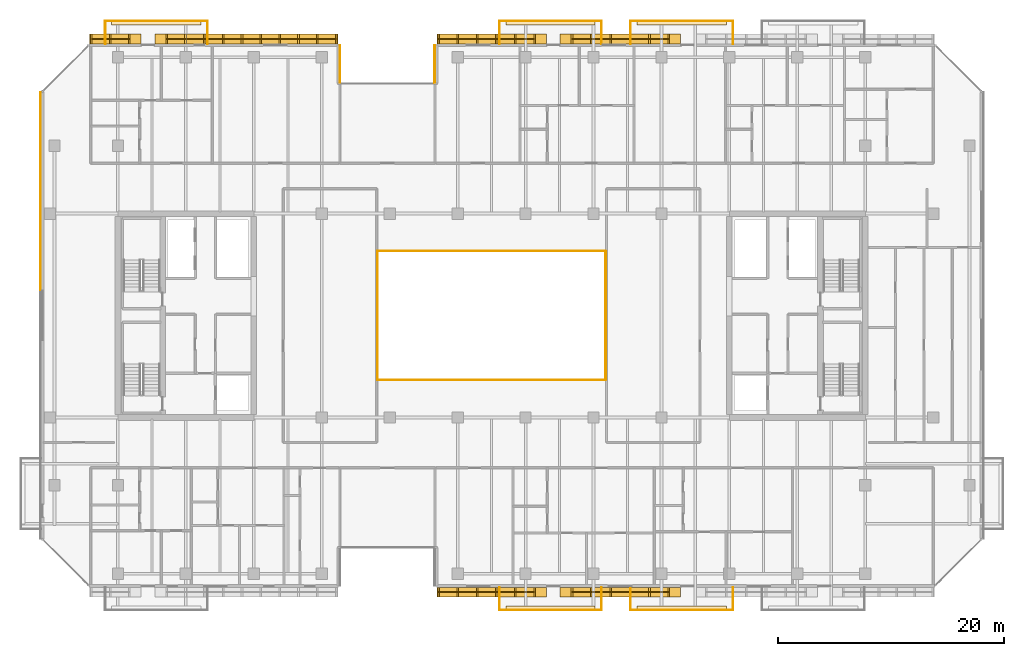
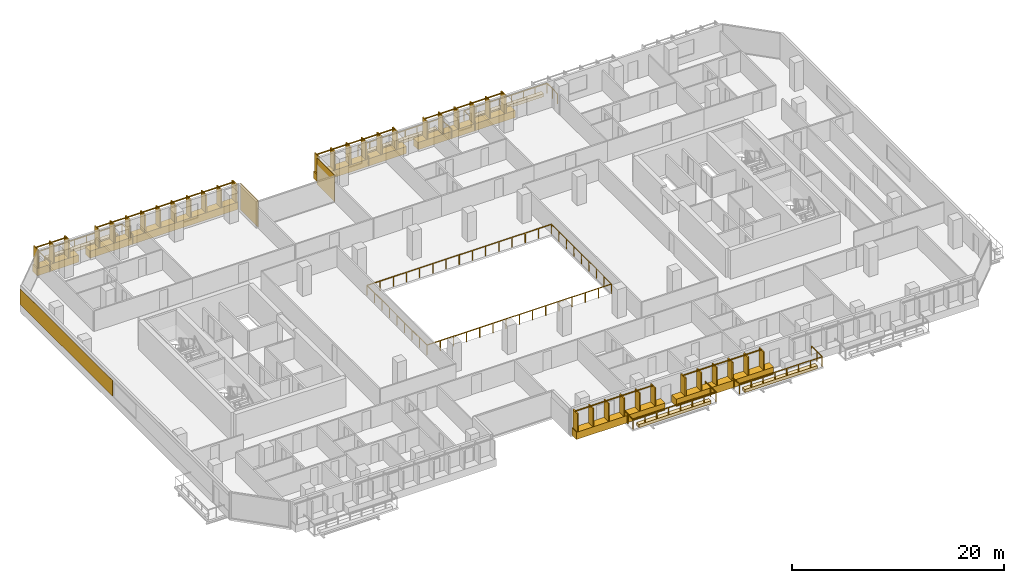
# One storey, part 31 of 33: 14 coverings, 13 railings.
"""IFC4 building model written with IfcOpenShell, lengths in metres."""

from ifc_helpers import new_model, si_unit, direction, frame, origin, origin_2d, place, context, subcontext, project, spatial, polyline, rectangle, outline, extrude, material, layer, layer_set, type_object, element, save


model = new_model("IFC4")

# Units and contexts
model_context = context("Model", 3, precision=1e-05, world=origin(), true_north=direction((0.0, 1.0)))
body_context = subcontext(model_context, "Body", "Model", "MODEL_VIEW")
ifc_project = project(units=[si_unit("LENGTHUNIT", "METRE"), si_unit("AREAUNIT", "SQUARE_METRE"), si_unit("VOLUMEUNIT", "CUBIC_METRE"), si_unit("PLANEANGLEUNIT", "RADIAN"), si_unit("MASSUNIT", "GRAM", prefix="KILO")], contexts=[model_context])

# Site, building, storey
site_placement = place(None, origin())
site = spatial("IfcSite", under=ifc_project, at=site_placement, CompositionType="ELEMENT")
building_placement = place(site_placement, origin())
building = spatial("IfcBuilding", under=site, at=building_placement, Name="Tanjung Sevakor Pilgrim Tower", CompositionType="ELEMENT")
storey_placement = place(building_placement, frame((0.0, 0.0, 95.3701171875)))
storey = spatial("IfcBuildingStorey", under=building, at=storey_placement, Name="L26", CompositionType="ELEMENT", Elevation=95.3701171875)

# Coverings
ifc_material_1 = material(Name="Reconstructed Limestone Cladding", Category="masonry")
ifc_layer_1 = layer(ifc_material_1, 0.044921875)
ifc_layer_set_1 = layer_set([ifc_layer_1], Name="COV-CLAD-LIMESTONE")
covering_type_1 = type_object("IfcCoveringType", Name="COV-CLAD-LIMESTONE", PredefinedType="CLADDING", material=ifc_layer_set_1)
covering_1_placement = place(storey_placement, frame((57.00244140625, 9.169921875, 0.009765625), z_axis=(0.0, 0.0, 1.0), x_axis=(1.0, 0.0, 0.0)))
element("IfcCovering", 1, at=covering_1_placement, inside=storey, type_object=covering_type_1, Name="L26 Warm Limestone Sill Spandrel EW-L26-MAIN-5-1", PredefinedType="CLADDING", context=body_context, shape_type="SweptSolid", body=[
    extrude(rectangle(XDim=9.675048828125, YDim=0.860107421875, at=origin_2d()), origin(), (0.0, 0.0, 1.0), 0.840087890625),
])
for number, where, z_axis, x_axis, name in (
    (2, (68.375, 9.169921875, 0.009765625), (0.0, 0.0, 1.0), (1.0, 0.0, 0.0), "L26 Warm Limestone Sill Spandrel EW-L26-MAIN-5-2"),
    (3, (68.375, 58.030029296875, 0.009765625), (0.0, 0.0, 1.0), (-1.0, 0.0, 0.0), "L26 Warm Limestone Sill Spandrel EW-L26-MAIN-9-3"),
):
    element("IfcCovering", number, at=place(storey_placement, frame(where, z_axis=z_axis, x_axis=x_axis)), inside=storey, type_object=covering_type_1, Name=name, PredefinedType="CLADDING", context=body_context, shape_type="SweptSolid", body=[
        extrude(rectangle(XDim=10.6298828125, YDim=0.860107421875, at=origin_2d()), origin(), (0.0, 0.0, 1.0), 0.840087890625),
    ])
covering_2_placement = place(storey_placement, frame((57.00244140625, 58.030029296875, 0.009765625), z_axis=(0.0, 0.0, 1.0), x_axis=(-1.0, 0.0, 0.0)))
element("IfcCovering", 4, at=covering_2_placement, inside=storey, type_object=covering_type_1, Name="L26 Warm Limestone Sill Spandrel EW-L26-MAIN-9-4", PredefinedType="CLADDING", context=body_context, shape_type="SweptSolid", body=[
    extrude(rectangle(XDim=9.675048828125, YDim=0.860107421875, at=origin_2d()), origin(), (0.0, 0.0, 1.0), 0.840087890625),
])
for number, where, z_axis, x_axis, name in (
    (5, (51.9775390625, 55.77490234375, 0.019775390625), (0.0, 0.0, 1.0), (0.0, -1.0, 0.0), "L26 Warm Limestone Wall Cladding EW-L26-MAIN-10"),
    (6, (43.62255859375, 55.77490234375, 0.019775390625), (0.0, 0.0, 1.0), (0.0, 1.0, 0.0), "L26 Warm Limestone Wall Cladding EW-L26-MAIN-12"),
):
    element("IfcCovering", number, at=place(storey_placement, frame(where, z_axis=z_axis, x_axis=x_axis)), inside=storey, type_object=covering_type_1, Name=name, PredefinedType="CLADDING", context=body_context, shape_type="SweptSolid", body=[
        extrude(rectangle(XDim=3.360107421875, YDim=0.044921875, at=origin_2d()), origin(), (0.0, 0.0, 1.0), 3.0400390625),
    ])
covering_3_placement = place(storey_placement, frame((35.347412109375, 58.030029296875, 0.009765625), z_axis=(0.0, 0.0, 1.0), x_axis=(-1.0, 0.0, 0.0)))
element("IfcCovering", 7, at=covering_3_placement, inside=storey, type_object=covering_type_1, Name="L26 Warm Limestone Sill Spandrel EW-L26-MAIN-13-1", PredefinedType="CLADDING", context=body_context, shape_type="SweptSolid", body=[
    extrude(rectangle(XDim=16.175048828125, YDim=0.860107421875, at=origin_2d()), origin(), (0.0, 0.0, 1.0), 0.840087890625),
])
covering_4_placement = place(storey_placement, frame((23.765869140625, 58.030029296875, 0.009765625), z_axis=(0.0, 0.0, 1.0), x_axis=(-1.0, 0.0, 0.0)))
element("IfcCovering", 8, at=covering_4_placement, inside=storey, type_object=covering_type_1, Name="L26 Warm Limestone Sill Spandrel EW-L26-MAIN-13-2", PredefinedType="CLADDING", context=body_context, shape_type="SweptSolid", body=[
    extrude(rectangle(XDim=4.548095703125, YDim=0.860107421875, at=origin_2d()), origin(), (0.0, 0.0, 1.0), 0.840087890625),
])
covering_5_placement = place(storey_placement, frame((17.177490234375, 44.5791015625, 0.849853515625), z_axis=(0.0, 0.0, 1.0), x_axis=(0.0, -1.0, 0.0)))
element("IfcCovering", 9, at=covering_5_placement, inside=storey, type_object=covering_type_1, Name="L26 Warm Limestone Pier Panel EW-L26-MAIN-15-1", PredefinedType="CLADDING", context=body_context, shape_type="SweptSolid", body=[
    extrude(rectangle(XDim=17.458251953125, YDim=0.044921875, at=origin_2d()), origin(), (0.0, 0.0, 1.0), 1.81005859375),
])
ifc_material_2 = material(Name="Vegetated Modular Planter Assembly", Category="organic")
ifc_layer_2 = layer(ifc_material_2, 0.35009765625)
ifc_layer_set_2 = layer_set([ifc_layer_2], Name="COV-GRN-TROUGH")
covering_type_2 = type_object("IfcCoveringType", Name="COV-GRN-TROUGH", PredefinedType="CLADDING", material=ifc_layer_set_2)
covering_6_placement = place(storey_placement, origin())
element("IfcCovering", 10, at=covering_6_placement, inside=storey, type_object=covering_type_2, Name="L26 Planted Landscape Hedge Trough BGRN-L26-MAIN-N1", PredefinedType="CLADDING", context=body_context, shape_type="SweptSolid", body=[
    extrude(outline(polyline([(23.449951171875, 59.260009765625), (31.35009765625, 59.260009765625), (31.35009765625, 59.699951171875), (23.449951171875, 59.699951171875), (23.449951171875, 59.260009765625)])), origin(), (0.0, 0.0, 1.0), 0.349853515625),
])
covering_7_placement = place(storey_placement, origin())
element("IfcCovering", 11, at=covering_7_placement, inside=storey, type_object=covering_type_2, Name="L26 Planted Landscape Hedge Trough BGRN-L26-MAIN-S2", PredefinedType="CLADDING", context=body_context, shape_type="SweptSolid", body=[
    extrude(outline(polyline([(58.25, 7.5), (66.14990234375, 7.5), (66.14990234375, 7.93994140625), (58.25, 7.93994140625), (58.25, 7.5)])), origin(), (0.0, 0.0, 1.0), 0.349853515625),
])
covering_8_placement = place(storey_placement, origin())
element("IfcCovering", 12, at=covering_8_placement, inside=storey, type_object=covering_type_2, Name="L26 Planted Landscape Hedge Trough BGRN-L26-MAIN-N2", PredefinedType="CLADDING", context=body_context, shape_type="SweptSolid", body=[
    extrude(outline(polyline([(58.25, 59.260009765625), (66.14990234375, 59.260009765625), (66.14990234375, 59.699951171875), (58.25, 59.699951171875), (58.25, 59.260009765625)])), origin(), (0.0, 0.0, 1.0), 0.349853515625),
])
covering_9_placement = place(storey_placement, origin())
element("IfcCovering", 13, at=covering_9_placement, inside=storey, type_object=covering_type_2, Name="L26 Planted Landscape Hedge Trough BGRN-L26-MAIN-S3", PredefinedType="CLADDING", context=body_context, shape_type="SweptSolid", body=[
    extrude(outline(polyline([(69.85009765625, 7.5), (77.75, 7.5), (77.75, 7.93994140625), (69.85009765625, 7.93994140625), (69.85009765625, 7.5)])), origin(), (0.0, 0.0, 1.0), 0.349853515625),
])
covering_10_placement = place(storey_placement, origin())
element("IfcCovering", 14, at=covering_10_placement, inside=storey, type_object=covering_type_2, Name="L26 Planted Landscape Hedge Trough BGRN-L26-MAIN-N3", PredefinedType="CLADDING", context=body_context, shape_type="SweptSolid", body=[
    extrude(outline(polyline([(69.85009765625, 59.260009765625), (77.75, 59.260009765625), (77.75, 59.699951171875), (69.85009765625, 59.699951171875), (69.85009765625, 59.260009765625)])), origin(), (0.0, 0.0, 1.0), 0.349853515625),
])

# Railings
ifc_material_3 = material(Name="Laminated Glass and Aluminium", Category="aluminium")
railing_type_1 = type_object("IfcRailingType", Name="RL-BAL-BALUST", PredefinedType="BALUSTRADE", material=ifc_material_3)
railing_1_placement = place(storey_placement, frame((46.919921875, 27.919921875, 0.0)))
element("IfcRailing", 15, at=railing_1_placement, inside=storey, type_object=railing_type_1, Name="L26 Void Opening Balustrade 1A", PredefinedType="BALUSTRADE", context=body_context, shape_type="SweptSolid", body=[
    extrude(rectangle(XDim=0.0479, YDim=0.0479), frame((0.0, 0.0, 1.1259765625), z_axis=(1.0, 0.0, 0.0), x_axis=(0.0, 1.0, 0.0)), (0.0, 0.0, 1.0), 20.16015625),
    extrude(rectangle(XDim=0.0479, YDim=0.0479), frame((20.16015625, 0.0, 1.1259765625), z_axis=(0.0, 1.0, 0.0), x_axis=(-1.0, 0.0, 0.0)), (0.0, 0.0, 1.0), 11.360107421875),
    extrude(rectangle(XDim=0.042, YDim=0.042), origin(), (0.0, 0.0, 1.0), 1.101806640625),
    extrude(rectangle(XDim=0.042, YDim=0.042), frame((1.43994140625, 0.0, 0.0)), (0.0, 0.0, 1.0), 1.101806640625),
    extrude(rectangle(XDim=0.042, YDim=0.042), frame((2.880126953125, 0.0, 0.0)), (0.0, 0.0, 1.0), 1.101806640625),
    extrude(rectangle(XDim=0.042, YDim=0.042), frame((4.320068359375, 0.0, 0.0)), (0.0, 0.0, 1.0), 1.101806640625),
    extrude(rectangle(XDim=0.042, YDim=0.042), frame((5.760009765625, 0.0, 0.0)), (0.0, 0.0, 1.0), 1.101806640625),
    extrude(rectangle(XDim=0.042, YDim=0.042), frame((7.199951171875, 0.0, 0.0)), (0.0, 0.0, 1.0), 1.101806640625),
    extrude(rectangle(XDim=0.042, YDim=0.042), frame((8.64013671875, 0.0, 0.0)), (0.0, 0.0, 1.0), 1.101806640625),
    extrude(rectangle(XDim=0.042, YDim=0.042), frame((10.080078125, 0.0, 0.0)), (0.0, 0.0, 1.0), 1.101806640625),
    extrude(rectangle(XDim=0.042, YDim=0.042), frame((11.52001953125, 0.0, 0.0)), (0.0, 0.0, 1.0), 1.101806640625),
    extrude(rectangle(XDim=0.042, YDim=0.042), frame((12.960205078125, 0.0, 0.0)), (0.0, 0.0, 1.0), 1.101806640625),
    extrude(rectangle(XDim=0.042, YDim=0.042), frame((14.400146484375, 0.0, 0.0)), (0.0, 0.0, 1.0), 1.101806640625),
    extrude(rectangle(XDim=0.042, YDim=0.042), frame((15.840087890625, 0.0, 0.0)), (0.0, 0.0, 1.0), 1.101806640625),
    extrude(rectangle(XDim=0.042, YDim=0.042), frame((17.280029296875, 0.0, 0.0)), (0.0, 0.0, 1.0), 1.101806640625),
    extrude(rectangle(XDim=0.042, YDim=0.042), frame((18.72021484375, 0.0, 0.0)), (0.0, 0.0, 1.0), 1.101806640625),
    extrude(rectangle(XDim=0.042, YDim=0.042), frame((20.16015625, 0.0, 0.0)), (0.0, 0.0, 1.0), 1.101806640625),
    extrude(rectangle(XDim=0.042, YDim=0.042), frame((20.16015625, 1.419921875, 0.0)), (0.0, 0.0, 1.0), 1.101806640625),
    extrude(rectangle(XDim=0.042, YDim=0.042), frame((20.16015625, 2.840087890625, 0.0)), (0.0, 0.0, 1.0), 1.101806640625),
    extrude(rectangle(XDim=0.042, YDim=0.042), frame((20.16015625, 4.260009765625, 0.0)), (0.0, 0.0, 1.0), 1.101806640625),
    extrude(rectangle(XDim=0.042, YDim=0.042), frame((20.16015625, 5.68017578125, 0.0)), (0.0, 0.0, 1.0), 1.101806640625),
    extrude(rectangle(XDim=0.042, YDim=0.042), frame((20.16015625, 7.10009765625, 0.0)), (0.0, 0.0, 1.0), 1.101806640625),
    extrude(rectangle(XDim=0.042, YDim=0.042), frame((20.16015625, 8.52001953125, 0.0)), (0.0, 0.0, 1.0), 1.101806640625),
    extrude(rectangle(XDim=0.042, YDim=0.042), frame((20.16015625, 9.940185546875, 0.0)), (0.0, 0.0, 1.0), 1.101806640625),
    extrude(rectangle(XDim=0.042, YDim=0.042), frame((20.16015625, 11.360107421875, 0.0)), (0.0, 0.0, 1.0), 1.101806640625),
])
railing_2_placement = place(storey_placement, frame((67.080078125, 39.280029296875, 0.0)))
element("IfcRailing", 16, at=railing_2_placement, inside=storey, type_object=railing_type_1, Name="L26 Void Opening Balustrade 1B", PredefinedType="BALUSTRADE", context=body_context, shape_type="SweptSolid", body=[
    extrude(rectangle(XDim=0.0479, YDim=0.0479), frame((0.0, 0.0, 1.1259765625), z_axis=(-1.0, 0.0, 0.0), x_axis=(0.0, -1.0, 0.0)), (0.0, 0.0, 1.0), 20.16015625),
    extrude(rectangle(XDim=0.0479, YDim=0.0479), frame((-20.16015625, 0.0, 1.1259765625), z_axis=(0.0, -1.0, 0.0), x_axis=(1.0, 0.0, 0.0)), (0.0, 0.0, 1.0), 11.360107421875),
    extrude(rectangle(XDim=0.042, YDim=0.042), origin(), (0.0, 0.0, 1.0), 1.101806640625),
    extrude(rectangle(XDim=0.042, YDim=0.042), frame((-1.43994140625, 0.0, 0.0)), (0.0, 0.0, 1.0), 1.101806640625),
    extrude(rectangle(XDim=0.042, YDim=0.042), frame((-2.880126953125, 0.0, 0.0)), (0.0, 0.0, 1.0), 1.101806640625),
    extrude(rectangle(XDim=0.042, YDim=0.042), frame((-4.320068359375, 0.0, 0.0)), (0.0, 0.0, 1.0), 1.101806640625),
    extrude(rectangle(XDim=0.042, YDim=0.042), frame((-5.760009765625, 0.0, 0.0)), (0.0, 0.0, 1.0), 1.101806640625),
    extrude(rectangle(XDim=0.042, YDim=0.042), frame((-7.199951171875, 0.0, 0.0)), (0.0, 0.0, 1.0), 1.101806640625),
    extrude(rectangle(XDim=0.042, YDim=0.042), frame((-8.64013671875, 0.0, 0.0)), (0.0, 0.0, 1.0), 1.101806640625),
    extrude(rectangle(XDim=0.042, YDim=0.042), frame((-10.080078125, 0.0, 0.0)), (0.0, 0.0, 1.0), 1.101806640625),
    extrude(rectangle(XDim=0.042, YDim=0.042), frame((-11.52001953125, 0.0, 0.0)), (0.0, 0.0, 1.0), 1.101806640625),
    extrude(rectangle(XDim=0.042, YDim=0.042), frame((-12.960205078125, 0.0, 0.0)), (0.0, 0.0, 1.0), 1.101806640625),
    extrude(rectangle(XDim=0.042, YDim=0.042), frame((-14.400146484375, 0.0, 0.0)), (0.0, 0.0, 1.0), 1.101806640625),
    extrude(rectangle(XDim=0.042, YDim=0.042), frame((-15.840087890625, 0.0, 0.0)), (0.0, 0.0, 1.0), 1.101806640625),
    extrude(rectangle(XDim=0.042, YDim=0.042), frame((-17.280029296875, 0.0, 0.0)), (0.0, 0.0, 1.0), 1.101806640625),
    extrude(rectangle(XDim=0.042, YDim=0.042), frame((-18.72021484375, 0.0, 0.0)), (0.0, 0.0, 1.0), 1.101806640625),
    extrude(rectangle(XDim=0.042, YDim=0.042), frame((-20.16015625, 0.0, 0.0)), (0.0, 0.0, 1.0), 1.101806640625),
    extrude(rectangle(XDim=0.042, YDim=0.042), frame((-20.16015625, -1.419921875, 0.0)), (0.0, 0.0, 1.0), 1.101806640625),
    extrude(rectangle(XDim=0.042, YDim=0.042), frame((-20.16015625, -2.840087890625, 0.0)), (0.0, 0.0, 1.0), 1.101806640625),
    extrude(rectangle(XDim=0.042, YDim=0.042), frame((-20.16015625, -4.260009765625, 0.0)), (0.0, 0.0, 1.0), 1.101806640625),
    extrude(rectangle(XDim=0.042, YDim=0.042), frame((-20.16015625, -5.68017578125, 0.0)), (0.0, 0.0, 1.0), 1.101806640625),
    extrude(rectangle(XDim=0.042, YDim=0.042), frame((-20.16015625, -7.10009765625, 0.0)), (0.0, 0.0, 1.0), 1.101806640625),
    extrude(rectangle(XDim=0.042, YDim=0.042), frame((-20.16015625, -8.52001953125, 0.0)), (0.0, 0.0, 1.0), 1.101806640625),
    extrude(rectangle(XDim=0.042, YDim=0.042), frame((-20.16015625, -9.940185546875, 0.0)), (0.0, 0.0, 1.0), 1.101806640625),
    extrude(rectangle(XDim=0.042, YDim=0.042), frame((-20.16015625, -11.360107421875, 0.0)), (0.0, 0.0, 1.0), 1.101806640625),
])
railing_3_placement = place(storey_placement, frame((22.8798828125, 57.60009765625, 0.0)))
element("IfcRailing", 17, at=railing_3_placement, inside=storey, type_object=railing_type_1, Name="L26 Loggia Balustrade MAIN-N1", PredefinedType="BALUSTRADE", context=body_context, shape_type="SweptSolid", body=[
    extrude(rectangle(XDim=0.0479, YDim=0.0479), frame((0.0, 0.0, 1.1259765625), z_axis=(0.0, 1.0, 0.0), x_axis=(-1.0, 0.0, 0.0)), (0.0, 0.0, 1.0), 2.02001953125),
    extrude(rectangle(XDim=0.0479, YDim=0.0479), frame((0.0, 2.02001953125, 1.1259765625), z_axis=(1.0, 0.0, 0.0), x_axis=(0.0, 1.0, 0.0)), (0.0, 0.0, 1.0), 9.0400390625),
    extrude(rectangle(XDim=0.0479, YDim=0.0479), frame((9.0400390625, 2.02001953125, 1.1259765625), z_axis=(0.0, -1.0, 0.0), x_axis=(1.0, 0.0, 0.0)), (0.0, 0.0, 1.0), 2.02001953125),
    extrude(rectangle(XDim=0.042, YDim=0.042), origin(), (0.0, 0.0, 1.0), 1.101806640625),
    extrude(rectangle(XDim=0.042, YDim=0.042), frame((0.0, 1.010009765625, 0.0)), (0.0, 0.0, 1.0), 1.101806640625),
    extrude(rectangle(XDim=0.042, YDim=0.042), frame((0.0, 2.02001953125, 0.0)), (0.0, 0.0, 1.0), 1.101806640625),
    extrude(rectangle(XDim=0.042, YDim=0.042), frame((1.29150390625, 2.02001953125, 0.0)), (0.0, 0.0, 1.0), 1.101806640625),
    extrude(rectangle(XDim=0.042, YDim=0.042), frame((2.582763671875, 2.02001953125, 0.0)), (0.0, 0.0, 1.0), 1.101806640625),
    extrude(rectangle(XDim=0.042, YDim=0.042), frame((3.874267578125, 2.02001953125, 0.0)), (0.0, 0.0, 1.0), 1.101806640625),
    extrude(rectangle(XDim=0.042, YDim=0.042), frame((5.165771484375, 2.02001953125, 0.0)), (0.0, 0.0, 1.0), 1.101806640625),
    extrude(rectangle(XDim=0.042, YDim=0.042), frame((6.457275390625, 2.02001953125, 0.0)), (0.0, 0.0, 1.0), 1.101806640625),
    extrude(rectangle(XDim=0.042, YDim=0.042), frame((7.74853515625, 2.02001953125, 0.0)), (0.0, 0.0, 1.0), 1.101806640625),
    extrude(rectangle(XDim=0.042, YDim=0.042), frame((9.0400390625, 2.02001953125, 0.0)), (0.0, 0.0, 1.0), 1.101806640625),
    extrude(rectangle(XDim=0.042, YDim=0.042), frame((9.0400390625, 1.010009765625, 0.0)), (0.0, 0.0, 1.0), 1.101806640625),
    extrude(rectangle(XDim=0.042, YDim=0.042), frame((9.0400390625, 0.0, 0.0)), (0.0, 0.0, 1.0), 1.101806640625),
])
railing_4_placement = place(storey_placement, frame((57.679931640625, 9.60009765625, 0.0)))
element("IfcRailing", 18, at=railing_4_placement, inside=storey, type_object=railing_type_1, Name="L26 Loggia Balustrade MAIN-S2", PredefinedType="BALUSTRADE", context=body_context, shape_type="SweptSolid", body=[
    extrude(rectangle(XDim=0.0479, YDim=0.0479), frame((0.0, 0.0, 1.1259765625), z_axis=(0.0, -1.0, 0.0), x_axis=(1.0, 0.0, 0.0)), (0.0, 0.0, 1.0), 2.02001953125),
    extrude(rectangle(XDim=0.0479, YDim=0.0479), frame((0.0, -2.02001953125, 1.1259765625), z_axis=(1.0, 0.0, 0.0), x_axis=(0.0, 1.0, 0.0)), (0.0, 0.0, 1.0), 9.0400390625),
    extrude(rectangle(XDim=0.0479, YDim=0.0479), frame((9.0400390625, -2.02001953125, 1.1259765625), z_axis=(0.0, 1.0, 0.0), x_axis=(-1.0, 0.0, 0.0)), (0.0, 0.0, 1.0), 2.02001953125),
    extrude(rectangle(XDim=0.042, YDim=0.042), origin(), (0.0, 0.0, 1.0), 1.101806640625),
    extrude(rectangle(XDim=0.042, YDim=0.042), frame((0.0, -1.010009765625, 0.0)), (0.0, 0.0, 1.0), 1.101806640625),
    extrude(rectangle(XDim=0.042, YDim=0.042), frame((0.0, -2.02001953125, 0.0)), (0.0, 0.0, 1.0), 1.101806640625),
    extrude(rectangle(XDim=0.042, YDim=0.042), frame((1.29150390625, -2.02001953125, 0.0)), (0.0, 0.0, 1.0), 1.101806640625),
    extrude(rectangle(XDim=0.042, YDim=0.042), frame((2.582763671875, -2.02001953125, 0.0)), (0.0, 0.0, 1.0), 1.101806640625),
    extrude(rectangle(XDim=0.042, YDim=0.042), frame((3.874267578125, -2.02001953125, 0.0)), (0.0, 0.0, 1.0), 1.101806640625),
    extrude(rectangle(XDim=0.042, YDim=0.042), frame((5.165771484375, -2.02001953125, 0.0)), (0.0, 0.0, 1.0), 1.101806640625),
    extrude(rectangle(XDim=0.042, YDim=0.042), frame((6.457275390625, -2.02001953125, 0.0)), (0.0, 0.0, 1.0), 1.101806640625),
    extrude(rectangle(XDim=0.042, YDim=0.042), frame((7.74853515625, -2.02001953125, 0.0)), (0.0, 0.0, 1.0), 1.101806640625),
    extrude(rectangle(XDim=0.042, YDim=0.042), frame((9.0400390625, -2.02001953125, 0.0)), (0.0, 0.0, 1.0), 1.101806640625),
    extrude(rectangle(XDim=0.042, YDim=0.042), frame((9.0400390625, -1.010009765625, 0.0)), (0.0, 0.0, 1.0), 1.101806640625),
    extrude(rectangle(XDim=0.042, YDim=0.042), frame((9.0400390625, 0.0, 0.0)), (0.0, 0.0, 1.0), 1.101806640625),
])
railing_5_placement = place(storey_placement, frame((57.679931640625, 57.60009765625, 0.0)))
element("IfcRailing", 19, at=railing_5_placement, inside=storey, type_object=railing_type_1, Name="L26 Loggia Balustrade MAIN-N2", PredefinedType="BALUSTRADE", context=body_context, shape_type="SweptSolid", body=[
    extrude(rectangle(XDim=0.0479, YDim=0.0479), frame((0.0, 0.0, 1.1259765625), z_axis=(0.0, 1.0, 0.0), x_axis=(-1.0, 0.0, 0.0)), (0.0, 0.0, 1.0), 2.02001953125),
    extrude(rectangle(XDim=0.0479, YDim=0.0479), frame((0.0, 2.02001953125, 1.1259765625), z_axis=(1.0, 0.0, 0.0), x_axis=(0.0, 1.0, 0.0)), (0.0, 0.0, 1.0), 9.0400390625),
    extrude(rectangle(XDim=0.0479, YDim=0.0479), frame((9.0400390625, 2.02001953125, 1.1259765625), z_axis=(0.0, -1.0, 0.0), x_axis=(1.0, 0.0, 0.0)), (0.0, 0.0, 1.0), 2.02001953125),
    extrude(rectangle(XDim=0.042, YDim=0.042), origin(), (0.0, 0.0, 1.0), 1.101806640625),
    extrude(rectangle(XDim=0.042, YDim=0.042), frame((0.0, 1.010009765625, 0.0)), (0.0, 0.0, 1.0), 1.101806640625),
    extrude(rectangle(XDim=0.042, YDim=0.042), frame((0.0, 2.02001953125, 0.0)), (0.0, 0.0, 1.0), 1.101806640625),
    extrude(rectangle(XDim=0.042, YDim=0.042), frame((1.29150390625, 2.02001953125, 0.0)), (0.0, 0.0, 1.0), 1.101806640625),
    extrude(rectangle(XDim=0.042, YDim=0.042), frame((2.582763671875, 2.02001953125, 0.0)), (0.0, 0.0, 1.0), 1.101806640625),
    extrude(rectangle(XDim=0.042, YDim=0.042), frame((3.874267578125, 2.02001953125, 0.0)), (0.0, 0.0, 1.0), 1.101806640625),
    extrude(rectangle(XDim=0.042, YDim=0.042), frame((5.165771484375, 2.02001953125, 0.0)), (0.0, 0.0, 1.0), 1.101806640625),
    extrude(rectangle(XDim=0.042, YDim=0.042), frame((6.457275390625, 2.02001953125, 0.0)), (0.0, 0.0, 1.0), 1.101806640625),
    extrude(rectangle(XDim=0.042, YDim=0.042), frame((7.74853515625, 2.02001953125, 0.0)), (0.0, 0.0, 1.0), 1.101806640625),
    extrude(rectangle(XDim=0.042, YDim=0.042), frame((9.0400390625, 2.02001953125, 0.0)), (0.0, 0.0, 1.0), 1.101806640625),
    extrude(rectangle(XDim=0.042, YDim=0.042), frame((9.0400390625, 1.010009765625, 0.0)), (0.0, 0.0, 1.0), 1.101806640625),
    extrude(rectangle(XDim=0.042, YDim=0.042), frame((9.0400390625, 0.0, 0.0)), (0.0, 0.0, 1.0), 1.101806640625),
])
railing_6_placement = place(storey_placement, frame((69.280029296875, 9.60009765625, 0.0)))
element("IfcRailing", 20, at=railing_6_placement, inside=storey, type_object=railing_type_1, Name="L26 Loggia Balustrade MAIN-S3", PredefinedType="BALUSTRADE", context=body_context, shape_type="SweptSolid", body=[
    extrude(rectangle(XDim=0.0479, YDim=0.0479), frame((0.0, 0.0, 1.1259765625), z_axis=(0.0, -1.0, 0.0), x_axis=(1.0, 0.0, 0.0)), (0.0, 0.0, 1.0), 2.02001953125),
    extrude(rectangle(XDim=0.0479, YDim=0.0479), frame((0.0, -2.02001953125, 1.1259765625), z_axis=(1.0, 0.0, 0.0), x_axis=(0.0, 1.0, 0.0)), (0.0, 0.0, 1.0), 9.0400390625),
    extrude(rectangle(XDim=0.0479, YDim=0.0479), frame((9.0400390625, -2.02001953125, 1.1259765625), z_axis=(0.0, 1.0, 0.0), x_axis=(-1.0, 0.0, 0.0)), (0.0, 0.0, 1.0), 2.02001953125),
    extrude(rectangle(XDim=0.042, YDim=0.042), origin(), (0.0, 0.0, 1.0), 1.101806640625),
    extrude(rectangle(XDim=0.042, YDim=0.042), frame((0.0, -1.010009765625, 0.0)), (0.0, 0.0, 1.0), 1.101806640625),
    extrude(rectangle(XDim=0.042, YDim=0.042), frame((0.0, -2.02001953125, 0.0)), (0.0, 0.0, 1.0), 1.101806640625),
    extrude(rectangle(XDim=0.042, YDim=0.042), frame((1.29150390625, -2.02001953125, 0.0)), (0.0, 0.0, 1.0), 1.101806640625),
    extrude(rectangle(XDim=0.042, YDim=0.042), frame((2.582763671875, -2.02001953125, 0.0)), (0.0, 0.0, 1.0), 1.101806640625),
    extrude(rectangle(XDim=0.042, YDim=0.042), frame((3.874267578125, -2.02001953125, 0.0)), (0.0, 0.0, 1.0), 1.101806640625),
    extrude(rectangle(XDim=0.042, YDim=0.042), frame((5.165771484375, -2.02001953125, 0.0)), (0.0, 0.0, 1.0), 1.101806640625),
    extrude(rectangle(XDim=0.042, YDim=0.042), frame((6.457275390625, -2.02001953125, 0.0)), (0.0, 0.0, 1.0), 1.101806640625),
    extrude(rectangle(XDim=0.042, YDim=0.042), frame((7.74853515625, -2.02001953125, 0.0)), (0.0, 0.0, 1.0), 1.101806640625),
    extrude(rectangle(XDim=0.042, YDim=0.042), frame((9.0400390625, -2.02001953125, 0.0)), (0.0, 0.0, 1.0), 1.101806640625),
    extrude(rectangle(XDim=0.042, YDim=0.042), frame((9.0400390625, -1.010009765625, 0.0)), (0.0, 0.0, 1.0), 1.101806640625),
    extrude(rectangle(XDim=0.042, YDim=0.042), frame((9.0400390625, 0.0, 0.0)), (0.0, 0.0, 1.0), 1.101806640625),
])
railing_7_placement = place(storey_placement, frame((69.280029296875, 57.60009765625, 0.0)))
element("IfcRailing", 21, at=railing_7_placement, inside=storey, type_object=railing_type_1, Name="L26 Loggia Balustrade MAIN-N3", PredefinedType="BALUSTRADE", context=body_context, shape_type="SweptSolid", body=[
    extrude(rectangle(XDim=0.0479, YDim=0.0479), frame((0.0, 0.0, 1.1259765625), z_axis=(0.0, 1.0, 0.0), x_axis=(-1.0, 0.0, 0.0)), (0.0, 0.0, 1.0), 2.02001953125),
    extrude(rectangle(XDim=0.0479, YDim=0.0479), frame((0.0, 2.02001953125, 1.1259765625), z_axis=(1.0, 0.0, 0.0), x_axis=(0.0, 1.0, 0.0)), (0.0, 0.0, 1.0), 9.0400390625),
    extrude(rectangle(XDim=0.0479, YDim=0.0479), frame((9.0400390625, 2.02001953125, 1.1259765625), z_axis=(0.0, -1.0, 0.0), x_axis=(1.0, 0.0, 0.0)), (0.0, 0.0, 1.0), 2.02001953125),
    extrude(rectangle(XDim=0.042, YDim=0.042), origin(), (0.0, 0.0, 1.0), 1.101806640625),
    extrude(rectangle(XDim=0.042, YDim=0.042), frame((0.0, 1.010009765625, 0.0)), (0.0, 0.0, 1.0), 1.101806640625),
    extrude(rectangle(XDim=0.042, YDim=0.042), frame((0.0, 2.02001953125, 0.0)), (0.0, 0.0, 1.0), 1.101806640625),
    extrude(rectangle(XDim=0.042, YDim=0.042), frame((1.29150390625, 2.02001953125, 0.0)), (0.0, 0.0, 1.0), 1.101806640625),
    extrude(rectangle(XDim=0.042, YDim=0.042), frame((2.582763671875, 2.02001953125, 0.0)), (0.0, 0.0, 1.0), 1.101806640625),
    extrude(rectangle(XDim=0.042, YDim=0.042), frame((3.874267578125, 2.02001953125, 0.0)), (0.0, 0.0, 1.0), 1.101806640625),
    extrude(rectangle(XDim=0.042, YDim=0.042), frame((5.165771484375, 2.02001953125, 0.0)), (0.0, 0.0, 1.0), 1.101806640625),
    extrude(rectangle(XDim=0.042, YDim=0.042), frame((6.457275390625, 2.02001953125, 0.0)), (0.0, 0.0, 1.0), 1.101806640625),
    extrude(rectangle(XDim=0.042, YDim=0.042), frame((7.74853515625, 2.02001953125, 0.0)), (0.0, 0.0, 1.0), 1.101806640625),
    extrude(rectangle(XDim=0.042, YDim=0.042), frame((9.0400390625, 2.02001953125, 0.0)), (0.0, 0.0, 1.0), 1.101806640625),
    extrude(rectangle(XDim=0.042, YDim=0.042), frame((9.0400390625, 1.010009765625, 0.0)), (0.0, 0.0, 1.0), 1.101806640625),
    extrude(rectangle(XDim=0.042, YDim=0.042), frame((9.0400390625, 0.0, 0.0)), (0.0, 0.0, 1.0), 1.101806640625),
])
ifc_material_4 = material(Name="Anodised Bronze Aluminium 6063-T6", Category="aluminium")
railing_type_2 = type_object("IfcRailingType", Name="RL-FIN-SCREEN", PredefinedType="BALUSTRADE", material=ifc_material_4)
railing_8_placement = place(storey_placement, frame((52.324951171875, 9.175048828125, 0.83984375)))
element("IfcRailing", 22, at=railing_8_placement, inside=storey, type_object=railing_type_2, Name="L26 Vertical Bronze-Gold Solar Fin Screen FNSCR-EW-L26-MAIN-5-1", PredefinedType="BALUSTRADE", context=body_context, shape_type="SweptSolid", body=[
    extrude(rectangle(XDim=0.105, YDim=0.105), frame((0.0, 0.0, 2.157470703125), z_axis=(1.0, 0.0, 0.0), x_axis=(0.0, 1.0, 0.0)), (0.0, 0.0, 1.0), 8.47509765625),
    extrude(rectangle(XDim=0.14, YDim=0.85), origin(), (0.0, 0.0, 1.0), 2.10498046875),
    extrude(rectangle(XDim=0.14, YDim=0.85), frame((1.695068359375, 0.0, 0.0)), (0.0, 0.0, 1.0), 2.10498046875),
    extrude(rectangle(XDim=0.14, YDim=0.85), frame((3.39013671875, 0.0, 0.0)), (0.0, 0.0, 1.0), 2.10498046875),
    extrude(rectangle(XDim=0.14, YDim=0.85), frame((5.0849609375, 0.0, 0.0)), (0.0, 0.0, 1.0), 2.10498046875),
    extrude(rectangle(XDim=0.14, YDim=0.85), frame((6.780029296875, 0.0, 0.0)), (0.0, 0.0, 1.0), 2.10498046875),
    extrude(rectangle(XDim=0.14, YDim=0.85), frame((8.47509765625, 0.0, 0.0)), (0.0, 0.0, 1.0), 2.10498046875),
])
railing_9_placement = place(storey_placement, frame((64.10009765625, 9.175048828125, 0.83984375)))
element("IfcRailing", 23, at=railing_9_placement, inside=storey, type_object=railing_type_2, Name="L26 Vertical Bronze-Gold Solar Fin Screen FNSCR-EW-L26-MAIN-5-2", PredefinedType="BALUSTRADE", context=body_context, shape_type="SweptSolid", body=[
    extrude(rectangle(XDim=0.105, YDim=0.105), frame((0.0, 0.0, 2.157470703125), z_axis=(1.0, 0.0, 0.0), x_axis=(0.0, 1.0, 0.0)), (0.0, 0.0, 1.0), 8.5498046875),
    extrude(rectangle(XDim=0.14, YDim=0.85), origin(), (0.0, 0.0, 1.0), 2.10498046875),
    extrude(rectangle(XDim=0.14, YDim=0.85), frame((1.7099609375, 0.0, 0.0)), (0.0, 0.0, 1.0), 2.10498046875),
    extrude(rectangle(XDim=0.14, YDim=0.85), frame((3.419921875, 0.0, 0.0)), (0.0, 0.0, 1.0), 2.10498046875),
    extrude(rectangle(XDim=0.14, YDim=0.85), frame((5.1298828125, 0.0, 0.0)), (0.0, 0.0, 1.0), 2.10498046875),
    extrude(rectangle(XDim=0.14, YDim=0.85), frame((6.83984375, 0.0, 0.0)), (0.0, 0.0, 1.0), 2.10498046875),
    extrude(rectangle(XDim=0.14, YDim=0.85), frame((8.5498046875, 0.0, 0.0)), (0.0, 0.0, 1.0), 2.10498046875),
])
railing_10_placement = place(storey_placement, frame((72.64990234375, 58.02490234375, 0.83984375)))
element("IfcRailing", 24, at=railing_10_placement, inside=storey, type_object=railing_type_2, Name="L26 Vertical Bronze-Gold Solar Fin Screen FNSCR-EW-L26-MAIN-9-3", PredefinedType="BALUSTRADE", context=body_context, shape_type="SweptSolid", body=[
    extrude(rectangle(XDim=0.105, YDim=0.105), frame((0.0, 0.0, 2.157470703125), z_axis=(-1.0, 0.0, 0.0), x_axis=(0.0, -1.0, 0.0)), (0.0, 0.0, 1.0), 8.5498046875),
    extrude(rectangle(XDim=0.14, YDim=0.85), origin(), (0.0, 0.0, 1.0), 2.10498046875),
    extrude(rectangle(XDim=0.14, YDim=0.85), frame((-1.7099609375, 0.0, 0.0)), (0.0, 0.0, 1.0), 2.10498046875),
    extrude(rectangle(XDim=0.14, YDim=0.85), frame((-3.419921875, 0.0, 0.0)), (0.0, 0.0, 1.0), 2.10498046875),
    extrude(rectangle(XDim=0.14, YDim=0.85), frame((-5.1298828125, 0.0, 0.0)), (0.0, 0.0, 1.0), 2.10498046875),
    extrude(rectangle(XDim=0.14, YDim=0.85), frame((-6.83984375, 0.0, 0.0)), (0.0, 0.0, 1.0), 2.10498046875),
    extrude(rectangle(XDim=0.14, YDim=0.85), frame((-8.5498046875, 0.0, 0.0)), (0.0, 0.0, 1.0), 2.10498046875),
])
railing_11_placement = place(storey_placement, frame((60.800048828125, 58.02490234375, 0.83984375)))
element("IfcRailing", 25, at=railing_11_placement, inside=storey, type_object=railing_type_2, Name="L26 Vertical Bronze-Gold Solar Fin Screen FNSCR-EW-L26-MAIN-9-4", PredefinedType="BALUSTRADE", context=body_context, shape_type="SweptSolid", body=[
    extrude(rectangle(XDim=0.105, YDim=0.105), frame((0.0, 0.0, 2.157470703125), z_axis=(-1.0, 0.0, 0.0), x_axis=(0.0, -1.0, 0.0)), (0.0, 0.0, 1.0), 8.47509765625),
    extrude(rectangle(XDim=0.14, YDim=0.85), origin(), (0.0, 0.0, 1.0), 2.10498046875),
    extrude(rectangle(XDim=0.14, YDim=0.85), frame((-1.695068359375, 0.0, 0.0)), (0.0, 0.0, 1.0), 2.10498046875),
    extrude(rectangle(XDim=0.14, YDim=0.85), frame((-3.39013671875, 0.0, 0.0)), (0.0, 0.0, 1.0), 2.10498046875),
    extrude(rectangle(XDim=0.14, YDim=0.85), frame((-5.0849609375, 0.0, 0.0)), (0.0, 0.0, 1.0), 2.10498046875),
    extrude(rectangle(XDim=0.14, YDim=0.85), frame((-6.780029296875, 0.0, 0.0)), (0.0, 0.0, 1.0), 2.10498046875),
    extrude(rectangle(XDim=0.14, YDim=0.85), frame((-8.47509765625, 0.0, 0.0)), (0.0, 0.0, 1.0), 2.10498046875),
])
railing_12_placement = place(storey_placement, frame((43.27490234375, 58.02490234375, 0.83984375)))
element("IfcRailing", 26, at=railing_12_placement, inside=storey, type_object=railing_type_2, Name="L26 Vertical Bronze-Gold Solar Fin Screen FNSCR-EW-L26-MAIN-13-1", PredefinedType="BALUSTRADE", context=body_context, shape_type="SweptSolid", body=[
    extrude(rectangle(XDim=0.105, YDim=0.105), frame((0.0, 0.0, 2.157470703125), z_axis=(-1.0, 0.0, 0.0), x_axis=(0.0, -1.0, 0.0)), (0.0, 0.0, 1.0), 14.974853515625),
    extrude(rectangle(XDim=0.14, YDim=0.85), origin(), (0.0, 0.0, 1.0), 2.10498046875),
    extrude(rectangle(XDim=0.14, YDim=0.85), frame((-1.663818359375, 0.0, 0.0)), (0.0, 0.0, 1.0), 2.10498046875),
    extrude(rectangle(XDim=0.14, YDim=0.85), frame((-3.32763671875, 0.0, 0.0)), (0.0, 0.0, 1.0), 2.10498046875),
    extrude(rectangle(XDim=0.14, YDim=0.85), frame((-4.99169921875, 0.0, 0.0)), (0.0, 0.0, 1.0), 2.10498046875),
    extrude(rectangle(XDim=0.14, YDim=0.85), frame((-6.655517578125, 0.0, 0.0)), (0.0, 0.0, 1.0), 2.10498046875),
    extrude(rectangle(XDim=0.14, YDim=0.85), frame((-8.3193359375, 0.0, 0.0)), (0.0, 0.0, 1.0), 2.10498046875),
    extrude(rectangle(XDim=0.14, YDim=0.85), frame((-9.983154296875, 0.0, 0.0)), (0.0, 0.0, 1.0), 2.10498046875),
    extrude(rectangle(XDim=0.14, YDim=0.85), frame((-11.647216796875, 0.0, 0.0)), (0.0, 0.0, 1.0), 2.10498046875),
    extrude(rectangle(XDim=0.14, YDim=0.85), frame((-13.31103515625, 0.0, 0.0)), (0.0, 0.0, 1.0), 2.10498046875),
    extrude(rectangle(XDim=0.14, YDim=0.85), frame((-14.974853515625, 0.0, 0.0)), (0.0, 0.0, 1.0), 2.10498046875),
])
railing_13_placement = place(storey_placement, frame((25.0, 58.02490234375, 0.83984375)))
element("IfcRailing", 27, at=railing_13_placement, inside=storey, type_object=railing_type_2, Name="L26 Vertical Bronze-Gold Solar Fin Screen FNSCR-EW-L26-MAIN-13-2", PredefinedType="BALUSTRADE", context=body_context, shape_type="SweptSolid", body=[
    extrude(rectangle(XDim=0.105, YDim=0.105), frame((0.0, 0.0, 2.157470703125), z_axis=(-1.0, 0.0, 0.0), x_axis=(0.0, -1.0, 0.0)), (0.0, 0.0, 1.0), 3.34814453125),
    extrude(rectangle(XDim=0.14, YDim=0.85), origin(), (0.0, 0.0, 1.0), 2.10498046875),
    extrude(rectangle(XDim=0.14, YDim=0.85), frame((-1.674072265625, 0.0, 0.0)), (0.0, 0.0, 1.0), 2.10498046875),
    extrude(rectangle(XDim=0.14, YDim=0.85), frame((-3.34814453125, 0.0, 0.0)), (0.0, 0.0, 1.0), 2.10498046875),
])

save(model, "model.ifc")
